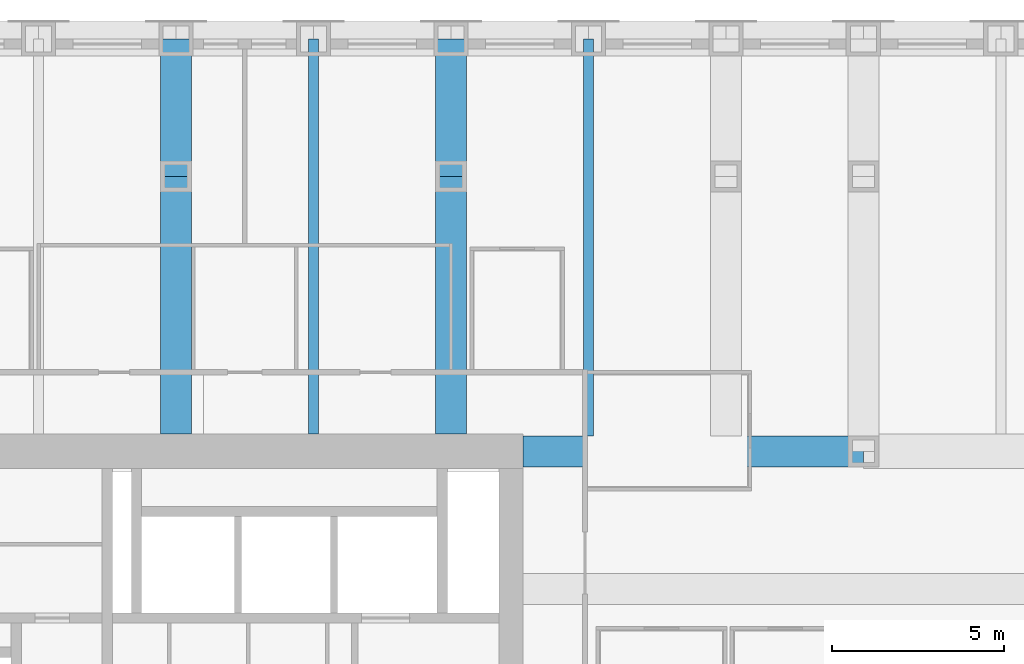
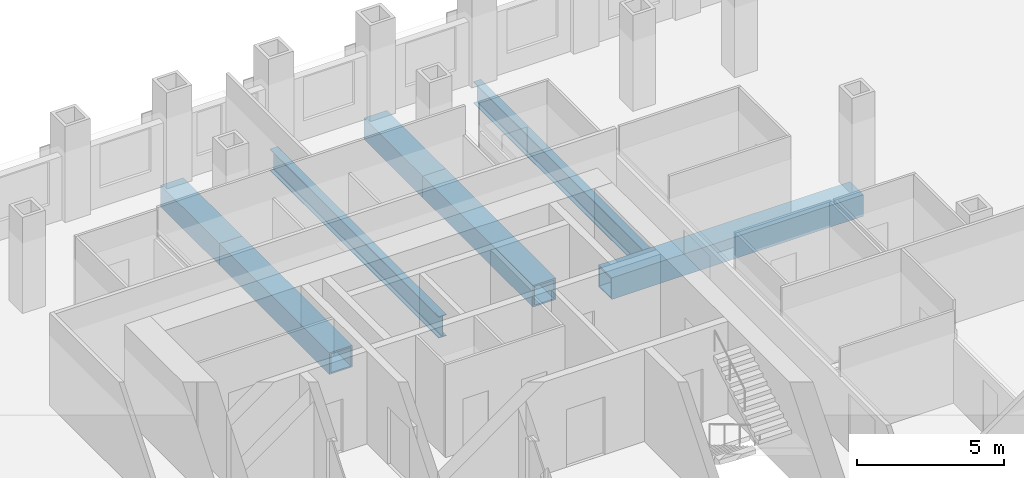
# One storey, part 7 of 17: 7 beams.
"""IFC4 building model written with IfcOpenShell, lengths in metres."""

from ifc_helpers import new_model, si_unit, direction, frame, origin, origin_2d, place, context, subcontext, project, spatial, hollow_rectangle, i_section, extrude, material, material_profile, profile_set, type_object, element, save


model = new_model("IFC4")

# Units and contexts
model_context = context("Model", 3, precision=1e-05, world=origin(), true_north=direction((0.0, 1.0)))
body_context = subcontext(model_context, "Body", "Model", "MODEL_VIEW")
ifc_project = project(units=[si_unit("LENGTHUNIT", "METRE"), si_unit("AREAUNIT", "SQUARE_METRE"), si_unit("VOLUMEUNIT", "CUBIC_METRE"), si_unit("PLANEANGLEUNIT", "RADIAN"), si_unit("MASSUNIT", "GRAM", prefix="KILO")], contexts=[model_context])

# Site, building, storey
site_placement = place(None, origin())
site = spatial("IfcSite", under=ifc_project, at=site_placement, CompositionType="ELEMENT")
building_placement = place(site_placement, origin())
building = spatial("IfcBuilding", under=site, at=building_placement, Name="Rimbunsela Tower", CompositionType="ELEMENT")
storey_placement = place(building_placement, frame((0.0, 0.0, 101.39990234375)))
storey = spatial("IfcBuildingStorey", under=building, at=storey_placement, Name="L24", CompositionType="ELEMENT", Elevation=101.39990234375)

# Beams
ifc_material_1 = material(Name="Steel BJ 55 (fy 410 MPa)", Category="steel")
ifc_material_profile_1 = material_profile(ifc_material_1, hollow_rectangle(XDim=0.89990234375, YDim=0.89990234375, WallThickness=0.06005859375, at=origin_2d()), Name="BOX 900x900x60")
ifc_profile_set_1 = profile_set([ifc_material_profile_1], Name="Steel BJ 55 (fy 410 MPa)")
beam_type_1 = type_object("IfcBeamType", Name="Beam BOX 900x900x60", PredefinedType="BEAM", material=ifc_profile_set_1)
beam_1_placement = place(storey_placement, frame((26.0, 36.5, -0.599853515625), z_axis=(0.0, 1.0, 0.0), x_axis=(-1.0, 0.0, 0.0)))
element("IfcBeam", 1, at=beam_1_placement, inside=storey, type_object=beam_type_1, Name="Beam B1 L24", PredefinedType="BEAM", context=body_context, shape_type="SweptSolid", body=[
    extrude(hollow_rectangle(XDim=0.89990234375, YDim=0.89990234375, WallThickness=0.06005859375, at=origin_2d()), origin(), (0.0, 0.0, 1.0), 7.5),
])
beam_2_placement = place(storey_placement, frame((26.0, 44.0, -0.599853515625), z_axis=(0.0, 1.0, 0.0), x_axis=(-1.0, 0.0, 0.0)))
element("IfcBeam", 2, at=beam_2_placement, inside=storey, type_object=beam_type_1, Name="Beam B1 L24", PredefinedType="BEAM", context=body_context, shape_type="SweptSolid", body=[
    extrude(hollow_rectangle(XDim=0.89990234375, YDim=0.89990234375, WallThickness=0.06005859375, at=origin_2d()), origin(), (0.0, 0.0, 1.0), 4.0),
])
beam_3_placement = place(storey_placement, frame((34.0, 36.5, -0.599853515625), z_axis=(0.0, 1.0, 0.0), x_axis=(-1.0, 0.0, 0.0)))
element("IfcBeam", 3, at=beam_3_placement, inside=storey, type_object=beam_type_1, Name="Beam B1 L24", PredefinedType="BEAM", context=body_context, shape_type="SweptSolid", body=[
    extrude(hollow_rectangle(XDim=0.89990234375, YDim=0.89990234375, WallThickness=0.06005859375, at=origin_2d()), origin(), (0.0, 0.0, 1.0), 7.5),
])
beam_4_placement = place(storey_placement, frame((34.0, 44.0, -0.599853515625), z_axis=(0.0, 1.0, 0.0), x_axis=(-1.0, 0.0, 0.0)))
element("IfcBeam", 4, at=beam_4_placement, inside=storey, type_object=beam_type_1, Name="Beam B1 L24", PredefinedType="BEAM", context=body_context, shape_type="SweptSolid", body=[
    extrude(hollow_rectangle(XDim=0.89990234375, YDim=0.89990234375, WallThickness=0.06005859375, at=origin_2d()), origin(), (0.0, 0.0, 1.0), 4.0),
])
beam_5_placement = place(storey_placement, frame((36.10009765625, 36.0, -0.599853515625), z_axis=(1.0, 0.0, 0.0), x_axis=(0.0, 1.0, 0.0)))
element("IfcBeam", 5, at=beam_5_placement, inside=storey, type_object=beam_type_1, Name="Beam B1 L24", PredefinedType="BEAM", context=body_context, shape_type="SweptSolid", body=[
    extrude(hollow_rectangle(XDim=0.89990234375, YDim=0.89990234375, WallThickness=0.06005859375, at=origin_2d()), origin(), (0.0, 0.0, 1.0), 9.89990234375),
])
ifc_material_2 = material(Name="Steel BJ 55 (fy 410 MPa)", Category="steel")
ifc_material_profile_2 = material_profile(ifc_material_2, i_section(OverallWidth=0.300048828125, OverallDepth=0.89990234375, WebThickness=0.01611328125, FlangeThickness=0.028076171875, FilletRadius=0.028076171875, at=origin_2d()), Name="H 900x300x16x28")
ifc_profile_set_2 = profile_set([ifc_material_profile_2], Name="Steel BJ 55 (fy 410 MPa)")
beam_type_2 = type_object("IfcBeamType", Name="Beam H 900x300x16x28", PredefinedType="BEAM", material=ifc_profile_set_2)
beam_6_placement = place(storey_placement, frame((30.0, 36.5, -0.599853515625), z_axis=(0.0, 1.0, 0.0), x_axis=(-1.0, 0.0, 0.0)))
element("IfcBeam", 6, at=beam_6_placement, inside=storey, type_object=beam_type_2, Name="Beam B2 L24", PredefinedType="BEAM", context=body_context, shape_type="SweptSolid", body=[
    extrude(i_section(OverallWidth=0.300048828125, OverallDepth=0.89990234375, WebThickness=0.01611328125, FlangeThickness=0.028076171875, FilletRadius=0.028076171875, at=origin_2d()), origin(), (0.0, 0.0, 1.0), 11.5),
])
beam_7_placement = place(storey_placement, frame((38.0, 36.449951171875, -0.599853515625), z_axis=(0.0, 1.0, 0.0), x_axis=(-1.0, 0.0, 0.0)))
element("IfcBeam", 7, at=beam_7_placement, inside=storey, type_object=beam_type_2, Name="Beam B2 L24", PredefinedType="BEAM", context=body_context, shape_type="SweptSolid", body=[
    extrude(i_section(OverallWidth=0.300048828125, OverallDepth=0.89990234375, WebThickness=0.01611328125, FlangeThickness=0.028076171875, FilletRadius=0.028076171875, at=origin_2d()), origin(), (0.0, 0.0, 1.0), 11.550048828125),
])

save(model, "model.ifc")
